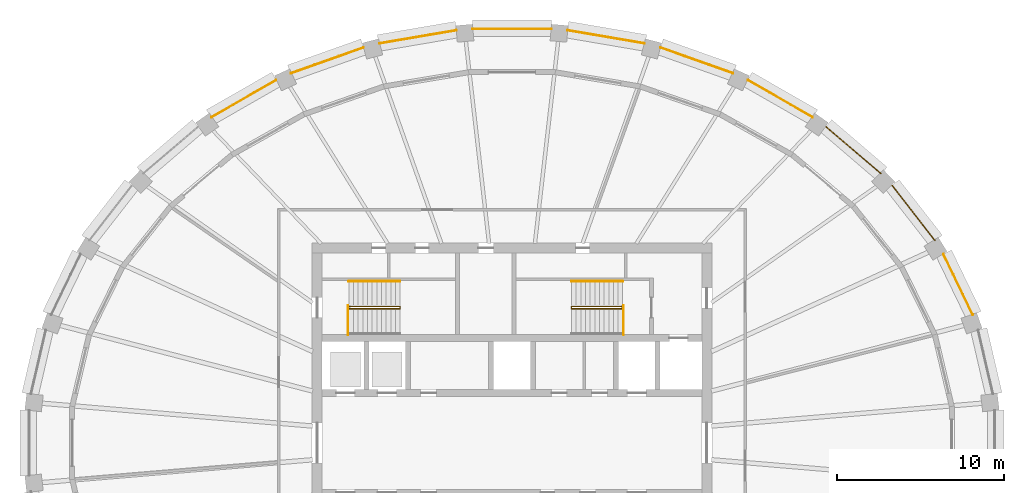
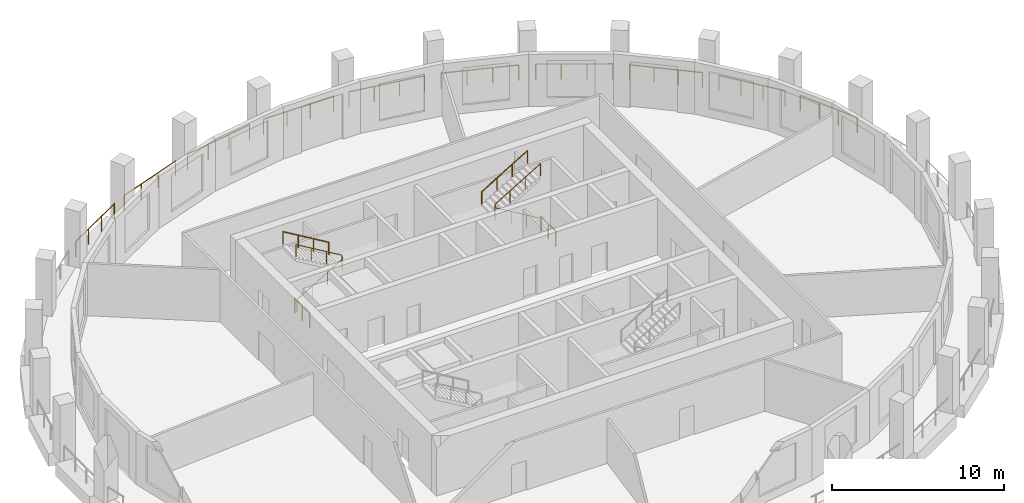
# One storey, part 9 of 10: 16 railings.
"""IFC4 building model written with IfcOpenShell, lengths in metres."""

from ifc_helpers import new_model, si_unit, direction, frame, origin, origin_2d, place, context, subcontext, project, spatial, circle, extrude, material, type_object, element, save


model = new_model("IFC4")

# Units and contexts
model_context = context("Model", 3, precision=1e-05, world=origin(), true_north=direction((0.0, 1.0)))
body_context = subcontext(model_context, "Body", "Model", "MODEL_VIEW")
ifc_project = project(units=[si_unit("LENGTHUNIT", "METRE"), si_unit("AREAUNIT", "SQUARE_METRE"), si_unit("VOLUMEUNIT", "CUBIC_METRE"), si_unit("PLANEANGLEUNIT", "RADIAN"), si_unit("MASSUNIT", "GRAM", prefix="KILO")], contexts=[model_context])

# Site, building, storey
site_placement = place(None, origin())
site = spatial("IfcSite", under=ifc_project, at=site_placement, CompositionType="ELEMENT")
building_placement = place(site_placement, origin())
building = spatial("IfcBuilding", under=site, at=building_placement, Name="Halqa Exchange Tower", CompositionType="ELEMENT")
storey_placement = place(building_placement, frame((0.0, 0.0, 300.300048828125)))
storey = spatial("IfcBuildingStorey", under=building, at=storey_placement, Name="L70", CompositionType="ELEMENT", Elevation=300.300048828125)

# Railings
ifc_material = material(Name="Stainless steel", Category="steel")
railing_type_1 = type_object("IfcRailingType", Name="Guard 1100 stainless steel", PredefinedType="GUARDRAIL", material=ifc_material)
railing_1_placement = place(storey_placement, frame((27.664794921875, 7.699951171875, 0.0)))
element("IfcRailing", 1, at=railing_1_placement, inside=storey, type_object=railing_type_1, Name="Loggia guard 2", PredefinedType="GUARDRAIL", context=body_context, shape_type="SweptSolid", body=[
    extrude(circle(Radius=0.02392578125, at=origin_2d()), frame((0.0, 0.0, 1.076171875), z_axis=(-0.435061265171, 0.900400852703, 0.0), x_axis=(-0.900400852703, -0.435061265171, 0.0)), (0.0, 0.0, 1.0), 4.0234375),
    extrude(circle(Radius=0.02099609375, at=origin_2d()), origin(), (0.0, 0.0, 1.0), 1.052001953125),
    extrude(circle(Radius=0.02099609375, at=origin_2d()), frame((-0.58349609375, 1.20751953125, 0.0)), (0.0, 0.0, 1.0), 1.052001953125),
    extrude(circle(Radius=0.02099609375, at=origin_2d()), frame((-1.1669921875, 2.415283203125, 0.0)), (0.0, 0.0, 1.0), 1.052001953125),
    extrude(circle(Radius=0.02099609375, at=origin_2d()), frame((-1.75048828125, 3.622802734375, 0.0)), (0.0, 0.0, 1.0), 1.052001953125),
])
railing_2_placement = place(storey_placement, frame((25.389404296875, 12.167236328125, 0.0)))
element("IfcRailing", 2, at=railing_2_placement, inside=storey, type_object=railing_type_1, Name="Loggia guard 3", PredefinedType="GUARDRAIL", context=body_context, shape_type="SweptSolid", body=[
    extrude(circle(Radius=0.02392578125, at=origin_2d()), frame((0.0, 0.0, 1.076171875), z_axis=(-0.614801258851, 0.788682072901, 0.0), x_axis=(-0.788682072901, -0.614801258851, 0.0)), (0.0, 0.0, 1.0), 4.16162109375),
    extrude(circle(Radius=0.02099609375, at=origin_2d()), origin(), (0.0, 0.0, 1.0), 1.052001953125),
    extrude(circle(Radius=0.02099609375, at=origin_2d()), frame((-0.852783203125, 1.093994140625, 0.0)), (0.0, 0.0, 1.0), 1.052001953125),
    extrude(circle(Radius=0.02099609375, at=origin_2d()), frame((-1.705810546875, 2.188232421875, 0.0)), (0.0, 0.0, 1.0), 1.052001953125),
    extrude(circle(Radius=0.02099609375, at=origin_2d()), frame((-2.55859375, 3.2822265625, 0.0)), (0.0, 0.0, 1.0), 1.052001953125),
])
railing_3_placement = place(storey_placement, frame((22.143798828125, 16.169189453125, 0.0)))
element("IfcRailing", 3, at=railing_3_placement, inside=storey, type_object=railing_type_1, Name="Loggia guard 4", PredefinedType="GUARDRAIL", context=body_context, shape_type="SweptSolid", body=[
    extrude(circle(Radius=0.02392578125, at=origin_2d()), frame((0.0, 0.0, 1.076171875), z_axis=(-0.759280539446, 0.650763445823, 0.0), x_axis=(-0.650763445823, -0.759280539446, 0.0)), (0.0, 0.0, 1.0), 4.319580078125),
    extrude(circle(Radius=0.02099609375, at=origin_2d()), origin(), (0.0, 0.0, 1.0), 1.052001953125),
    extrude(circle(Radius=0.02099609375, at=origin_2d()), frame((-1.09326171875, 0.93701171875, 0.0)), (0.0, 0.0, 1.0), 1.052001953125),
    extrude(circle(Radius=0.02099609375, at=origin_2d()), frame((-2.1865234375, 1.8740234375, 0.0)), (0.0, 0.0, 1.0), 1.052001953125),
    extrude(circle(Radius=0.02099609375, at=origin_2d()), frame((-3.27978515625, 2.81103515625, 0.0)), (0.0, 0.0, 1.0), 1.052001953125),
])
railing_4_placement = place(storey_placement, frame((18.050537109375, 19.55419921875, 0.0)))
element("IfcRailing", 4, at=railing_4_placement, inside=storey, type_object=railing_type_1, Name="Loggia guard 5", PredefinedType="GUARDRAIL", context=body_context, shape_type="SweptSolid", body=[
    extrude(circle(Radius=0.02392578125, at=origin_2d()), frame((0.0, 0.0, 1.076171875), z_axis=(-0.867752346247, 0.496996846652, 0.0), x_axis=(-0.496996846652, -0.867752346247, 0.0)), (0.0, 0.0, 1.0), 4.47314453125),
    extrude(circle(Radius=0.02099609375, at=origin_2d()), origin(), (0.0, 0.0, 1.0), 1.052001953125),
    extrude(circle(Radius=0.02099609375, at=origin_2d()), frame((-1.2939453125, 0.740966796875, 0.0)), (0.0, 0.0, 1.0), 1.052001953125),
    extrude(circle(Radius=0.02099609375, at=origin_2d()), frame((-2.587646484375, 1.482177734375, 0.0)), (0.0, 0.0, 1.0), 1.052001953125),
    extrude(circle(Radius=0.02099609375, at=origin_2d()), frame((-3.881591796875, 2.22314453125, 0.0)), (0.0, 0.0, 1.0), 1.052001953125),
])
railing_5_placement = place(storey_placement, frame((13.263916015625, 22.193115234375, 0.0)))
element("IfcRailing", 5, at=railing_5_placement, inside=storey, type_object=railing_type_1, Name="Loggia guard 6", PredefinedType="GUARDRAIL", context=body_context, shape_type="SweptSolid", body=[
    extrude(circle(Radius=0.02392578125, at=origin_2d()), frame((0.0, 0.0, 1.076171875), z_axis=(-0.942380251291, 0.334543662286, 0.0), x_axis=(-0.334543662286, -0.942380251291, 0.0)), (0.0, 0.0, 1.0), 4.599853515625),
    extrude(circle(Radius=0.02099609375, at=origin_2d()), origin(), (0.0, 0.0, 1.0), 1.052001953125),
    extrude(circle(Radius=0.02099609375, at=origin_2d()), frame((-1.44482421875, 0.512939453125, 0.0)), (0.0, 0.0, 1.0), 1.052001953125),
    extrude(circle(Radius=0.02099609375, at=origin_2d()), frame((-2.889892578125, 1.02587890625, 0.0)), (0.0, 0.0, 1.0), 1.052001953125),
    extrude(circle(Radius=0.02099609375, at=origin_2d()), frame((-4.334716796875, 1.538818359375, 0.0)), (0.0, 0.0, 1.0), 1.052001953125),
])
railing_6_placement = place(storey_placement, frame((7.965087890625, 23.9833984375, 0.0)))
element("IfcRailing", 6, at=railing_6_placement, inside=storey, type_object=railing_type_1, Name="Loggia guard 7", PredefinedType="GUARDRAIL", context=body_context, shape_type="SweptSolid", body=[
    extrude(circle(Radius=0.02392578125, at=origin_2d()), frame((0.0, 0.0, 1.076171875), z_axis=(-0.985772686302, 0.168083940165, 0.0), x_axis=(-0.168083940165, -0.985772686302, 0.0)), (0.0, 0.0, 1.0), 4.682861328125),
    extrude(circle(Radius=0.02099609375, at=origin_2d()), origin(), (0.0, 0.0, 1.0), 1.052001953125),
    extrude(circle(Radius=0.02099609375, at=origin_2d()), frame((-1.538818359375, 0.262451171875, 0.0)), (0.0, 0.0, 1.0), 1.052001953125),
    extrude(circle(Radius=0.02099609375, at=origin_2d()), frame((-3.077392578125, 0.524658203125, 0.0)), (0.0, 0.0, 1.0), 1.052001953125),
    extrude(circle(Radius=0.02099609375, at=origin_2d()), frame((-4.6162109375, 0.787109375, 0.0)), (0.0, 0.0, 1.0), 1.052001953125),
])
railing_7_placement = place(storey_placement, frame((2.35595703125, 24.8544921875, 0.0)))
element("IfcRailing", 7, at=railing_7_placement, inside=storey, type_object=railing_type_1, Name="Loggia guard 8", PredefinedType="GUARDRAIL", context=body_context, shape_type="SweptSolid", body=[
    extrude(circle(Radius=0.02392578125, at=origin_2d()), frame((0.0, 0.0, 1.076171875), z_axis=(-1.0, 0.0, 0.0), x_axis=(0.0, -1.0, 0.0)), (0.0, 0.0, 1.0), 4.7119140625),
    extrude(circle(Radius=0.02099609375, at=origin_2d()), origin(), (0.0, 0.0, 1.0), 1.052001953125),
    extrude(circle(Radius=0.02099609375, at=origin_2d()), frame((-1.570556640625, 0.0, 0.0)), (0.0, 0.0, 1.0), 1.052001953125),
    extrude(circle(Radius=0.02099609375, at=origin_2d()), frame((-3.141357421875, 0.0, 0.0)), (0.0, 0.0, 1.0), 1.052001953125),
    extrude(circle(Radius=0.02099609375, at=origin_2d()), frame((-4.7119140625, 0.0, 0.0)), (0.0, 0.0, 1.0), 1.052001953125),
])
railing_8_placement = place(storey_placement, frame((-3.348876953125, 24.7705078125, 0.0)))
element("IfcRailing", 8, at=railing_8_placement, inside=storey, type_object=railing_type_1, Name="Loggia guard 9", PredefinedType="GUARDRAIL", context=body_context, shape_type="SweptSolid", body=[
    extrude(circle(Radius=0.02392578125, at=origin_2d()), frame((0.0, 0.0, 1.076171875), z_axis=(-0.985772686302, -0.168083940165, 0.0), x_axis=(0.168083940165, -0.985772686302, 0.0)), (0.0, 0.0, 1.0), 4.682861328125),
    extrude(circle(Radius=0.02099609375, at=origin_2d()), origin(), (0.0, 0.0, 1.0), 1.052001953125),
    extrude(circle(Radius=0.02099609375, at=origin_2d()), frame((-1.538818359375, -0.262451171875, 0.0)), (0.0, 0.0, 1.0), 1.052001953125),
    extrude(circle(Radius=0.02099609375, at=origin_2d()), frame((-3.077392578125, -0.524658203125, 0.0)), (0.0, 0.0, 1.0), 1.052001953125),
    extrude(circle(Radius=0.02099609375, at=origin_2d()), frame((-4.6162109375, -0.787109375, 0.0)), (0.0, 0.0, 1.0), 1.052001953125),
])
railing_9_placement = place(storey_placement, frame((-8.92919921875, 23.73193359375, 0.0)))
element("IfcRailing", 9, at=railing_9_placement, inside=storey, type_object=railing_type_1, Name="Loggia guard 10", PredefinedType="GUARDRAIL", context=body_context, shape_type="SweptSolid", body=[
    extrude(circle(Radius=0.02392578125, at=origin_2d()), frame((0.0, 0.0, 1.076171875), z_axis=(-0.942380251291, -0.334543662286, 0.0), x_axis=(0.334543662286, -0.942380251291, 0.0)), (0.0, 0.0, 1.0), 4.599853515625),
    extrude(circle(Radius=0.02099609375, at=origin_2d()), origin(), (0.0, 0.0, 1.0), 1.052001953125),
    extrude(circle(Radius=0.02099609375, at=origin_2d()), frame((-1.44482421875, -0.512939453125, 0.0)), (0.0, 0.0, 1.0), 1.052001953125),
    extrude(circle(Radius=0.02099609375, at=origin_2d()), frame((-2.889892578125, -1.02587890625, 0.0)), (0.0, 0.0, 1.0), 1.052001953125),
    extrude(circle(Radius=0.02099609375, at=origin_2d()), frame((-4.334716796875, -1.538818359375, 0.0)), (0.0, 0.0, 1.0), 1.052001953125),
])
railing_10_placement = place(storey_placement, frame((-14.1689453125, 21.77734375, 0.0)))
element("IfcRailing", 10, at=railing_10_placement, inside=storey, type_object=railing_type_1, Name="Loggia guard 11", PredefinedType="GUARDRAIL", context=body_context, shape_type="SweptSolid", body=[
    extrude(circle(Radius=0.02392578125, at=origin_2d()), frame((0.0, 0.0, 1.076171875), z_axis=(-0.867752346247, -0.496996846652, 0.0), x_axis=(0.496996846652, -0.867752346247, 0.0)), (0.0, 0.0, 1.0), 4.47314453125),
    extrude(circle(Radius=0.02099609375, at=origin_2d()), origin(), (0.0, 0.0, 1.0), 1.052001953125),
    extrude(circle(Radius=0.02099609375, at=origin_2d()), frame((-1.2939453125, -0.740966796875, 0.0)), (0.0, 0.0, 1.0), 1.052001953125),
    extrude(circle(Radius=0.02099609375, at=origin_2d()), frame((-2.587646484375, -1.482177734375, 0.0)), (0.0, 0.0, 1.0), 1.052001953125),
    extrude(circle(Radius=0.02099609375, at=origin_2d()), frame((-3.881591796875, -2.22314453125, 0.0)), (0.0, 0.0, 1.0), 1.052001953125),
])
railing_type_2 = type_object("IfcRailingType", Name="Stair handrail 900", PredefinedType="HANDRAIL", material=ifc_material)
railing_11_placement = place(storey_placement, frame((-9.800048828125, 8.06005859375, 0.166748046875)))
element("IfcRailing", 11, at=railing_11_placement, inside=storey, type_object=railing_type_2, Name="Handrail ST1.1", PredefinedType="HANDRAIL", context=body_context, shape_type="SweptSolid", body=[
    extrude(circle(Radius=0.02392578125, at=origin_2d()), frame((0.0, 0.0, 0.8759765625), z_axis=(0.859308565015, 0.0, 0.511457515432), x_axis=(0.0, 1.0, 0.0)), (0.0, 0.0, 1.0), 3.58447265625),
    extrude(circle(Radius=0.02392578125, at=origin_2d()), frame((3.080078125, 0.0, 2.708984375), z_axis=(0.0, 0.614500226555, 0.788916644243), x_axis=(-1.0, 0.0, 0.0)), (0.0, 0.0, 1.0), 0.21142578125),
    extrude(circle(Radius=0.02392578125, at=origin_2d()), frame((3.080078125, 0.1298828125, 2.8759765625), z_axis=(-0.859308565015, 0.0, 0.511457515432), x_axis=(0.0, -1.0, 0.0)), (0.0, 0.0, 1.0), 3.58447265625),
    extrude(circle(Radius=0.02099609375, at=origin_2d()), origin(), (0.0, 0.0, 1.0), 0.851806640625),
    extrude(circle(Radius=0.02099609375, at=origin_2d()), frame((1.026611328125, 0.0, 0.611083984375)), (0.0, 0.0, 1.0), 0.851806640625),
    extrude(circle(Radius=0.02099609375, at=origin_2d()), frame((2.053466796875, 0.0, 1.22216796875)), (0.0, 0.0, 1.0), 0.851806640625),
    extrude(circle(Radius=0.02099609375, at=origin_2d()), frame((3.080078125, 0.0, 1.833251953125)), (0.0, 0.0, 1.0), 0.851806640625),
    extrude(circle(Radius=0.02099609375, at=origin_2d()), frame((3.080078125, 0.1298828125, 2.0)), (0.0, 0.0, 1.0), 0.851806640625),
    extrude(circle(Radius=0.02099609375, at=origin_2d()), frame((2.053466796875, 0.1298828125, 2.611083984375)), (0.0, 0.0, 1.0), 0.851806640625),
    extrude(circle(Radius=0.02099609375, at=origin_2d()), frame((1.026611328125, 0.1298828125, 3.22216796875)), (0.0, 0.0, 1.0), 0.851806640625),
    extrude(circle(Radius=0.02099609375, at=origin_2d()), frame((0.0, 0.1298828125, 3.833251953125)), (0.0, 0.0, 1.0), 0.851806640625),
])
railing_12_placement = place(storey_placement, frame((-6.719970703125, 9.699951171875, 2.166748046875)))
element("IfcRailing", 12, at=railing_12_placement, inside=storey, type_object=railing_type_2, Name="Handrail ST1.3", PredefinedType="HANDRAIL", context=body_context, shape_type="SweptSolid", body=[
    extrude(circle(Radius=0.02392578125, at=origin_2d()), frame((0.0, 0.0, 0.8759765625), z_axis=(-0.859308565015, 0.0, 0.511457515432), x_axis=(0.0, -1.0, 0.0)), (0.0, 0.0, 1.0), 3.58447265625),
    extrude(circle(Radius=0.02099609375, at=origin_2d()), origin(), (0.0, 0.0, 1.0), 0.851806640625),
    extrude(circle(Radius=0.02099609375, at=origin_2d()), frame((-1.026611328125, 0.0, 0.611083984375)), (0.0, 0.0, 1.0), 0.851806640625),
    extrude(circle(Radius=0.02099609375, at=origin_2d()), frame((-2.053466796875, 0.0, 1.22216796875)), (0.0, 0.0, 1.0), 0.851806640625),
    extrude(circle(Radius=0.02099609375, at=origin_2d()), frame((-3.080078125, 0.0, 1.833251953125)), (0.0, 0.0, 1.0), 0.851806640625),
])
railing_13_placement = place(storey_placement, frame((6.64990234375, 8.06005859375, 0.166748046875)))
element("IfcRailing", 13, at=railing_13_placement, inside=storey, type_object=railing_type_2, Name="Handrail ST2.1", PredefinedType="HANDRAIL", context=body_context, shape_type="SweptSolid", body=[
    extrude(circle(Radius=0.02392578125, at=origin_2d()), frame((0.0, 0.0, 0.8759765625), z_axis=(-0.859290745958, 0.0, 0.51148745235), x_axis=(0.0, -1.0, 0.0)), (0.0, 0.0, 1.0), 3.584228515625),
    extrude(circle(Radius=0.02392578125, at=origin_2d()), frame((-3.079833984375, 0.0, 2.708984375), z_axis=(0.0, 0.614500226555, 0.788916644243), x_axis=(-1.0, 0.0, 0.0)), (0.0, 0.0, 1.0), 0.21142578125),
    extrude(circle(Radius=0.02392578125, at=origin_2d()), frame((-3.079833984375, 0.1298828125, 2.8759765625), z_axis=(0.859290745958, 0.0, 0.51148745235), x_axis=(0.0, 1.0, 0.0)), (0.0, 0.0, 1.0), 3.584228515625),
    extrude(circle(Radius=0.02099609375, at=origin_2d()), origin(), (0.0, 0.0, 1.0), 0.851806640625),
    extrude(circle(Radius=0.02099609375, at=origin_2d()), frame((-1.026611328125, 0.0, 0.611083984375)), (0.0, 0.0, 1.0), 0.851806640625),
    extrude(circle(Radius=0.02099609375, at=origin_2d()), frame((-2.05322265625, 0.0, 1.22216796875)), (0.0, 0.0, 1.0), 0.851806640625),
    extrude(circle(Radius=0.02099609375, at=origin_2d()), frame((-3.079833984375, 0.0, 1.833251953125)), (0.0, 0.0, 1.0), 0.851806640625),
    extrude(circle(Radius=0.02099609375, at=origin_2d()), frame((-3.079833984375, 0.1298828125, 2.0)), (0.0, 0.0, 1.0), 0.851806640625),
    extrude(circle(Radius=0.02099609375, at=origin_2d()), frame((-2.05322265625, 0.1298828125, 2.611083984375)), (0.0, 0.0, 1.0), 0.851806640625),
    extrude(circle(Radius=0.02099609375, at=origin_2d()), frame((-1.026611328125, 0.1298828125, 3.22216796875)), (0.0, 0.0, 1.0), 0.851806640625),
    extrude(circle(Radius=0.02099609375, at=origin_2d()), frame((0.0, 0.1298828125, 3.833251953125)), (0.0, 0.0, 1.0), 0.851806640625),
])
railing_14_placement = place(storey_placement, frame((3.570068359375, 9.699951171875, 2.166748046875)))
element("IfcRailing", 14, at=railing_14_placement, inside=storey, type_object=railing_type_2, Name="Handrail ST2.3", PredefinedType="HANDRAIL", context=body_context, shape_type="SweptSolid", body=[
    extrude(circle(Radius=0.02392578125, at=origin_2d()), frame((0.0, 0.0, 0.8759765625), z_axis=(0.859290745958, 0.0, 0.51148745235), x_axis=(0.0, 1.0, 0.0)), (0.0, 0.0, 1.0), 3.584228515625),
    extrude(circle(Radius=0.02099609375, at=origin_2d()), origin(), (0.0, 0.0, 1.0), 0.851806640625),
    extrude(circle(Radius=0.02099609375, at=origin_2d()), frame((1.026611328125, 0.0, 0.611083984375)), (0.0, 0.0, 1.0), 0.851806640625),
    extrude(circle(Radius=0.02099609375, at=origin_2d()), frame((2.05322265625, 0.0, 1.22216796875)), (0.0, 0.0, 1.0), 0.851806640625),
    extrude(circle(Radius=0.02099609375, at=origin_2d()), frame((3.079833984375, 0.0, 1.833251953125)), (0.0, 0.0, 1.0), 0.851806640625),
])
railing_type_3 = type_object("IfcRailingType", Name="Stair well guard 1100", PredefinedType="GUARDRAIL", material=ifc_material)
for number, where, name in (
    (15, (-9.85009765625, 6.5, 0.0), "Guard ST1 well"),
    (16, (6.699951171875, 6.5, 0.0), "Guard ST2 well"),
):
    element("IfcRailing", number, at=place(storey_placement, frame(where)), inside=storey, type_object=railing_type_3, Name=name, PredefinedType="GUARDRAIL", context=body_context, shape_type="SweptSolid", body=[
        extrude(circle(Radius=0.02392578125, at=origin_2d()), frame((0.0, 0.0, 1.076171875), z_axis=(0.0, 1.0, 0.0), x_axis=(-1.0, 0.0, 0.0)), (0.0, 0.0, 1.0), 1.75),
        extrude(circle(Radius=0.02099609375, at=origin_2d()), origin(), (0.0, 0.0, 1.0), 1.052001953125),
        extrude(circle(Radius=0.02099609375, at=origin_2d()), frame((0.0, 0.875, 0.0)), (0.0, 0.0, 1.0), 1.052001953125),
        extrude(circle(Radius=0.02099609375, at=origin_2d()), frame((0.0, 1.75, 0.0)), (0.0, 0.0, 1.0), 1.052001953125),
    ])

save(model, "model.ifc")
